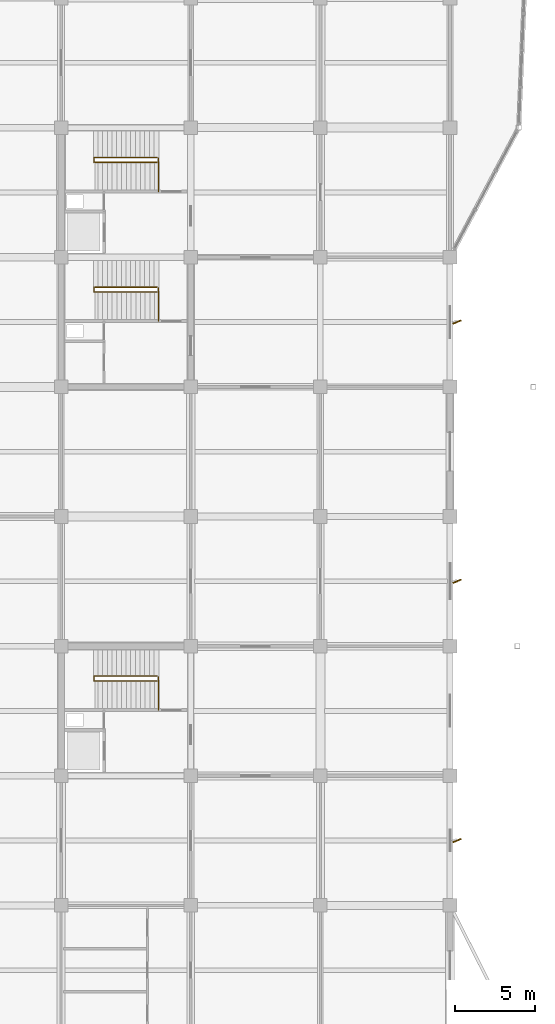
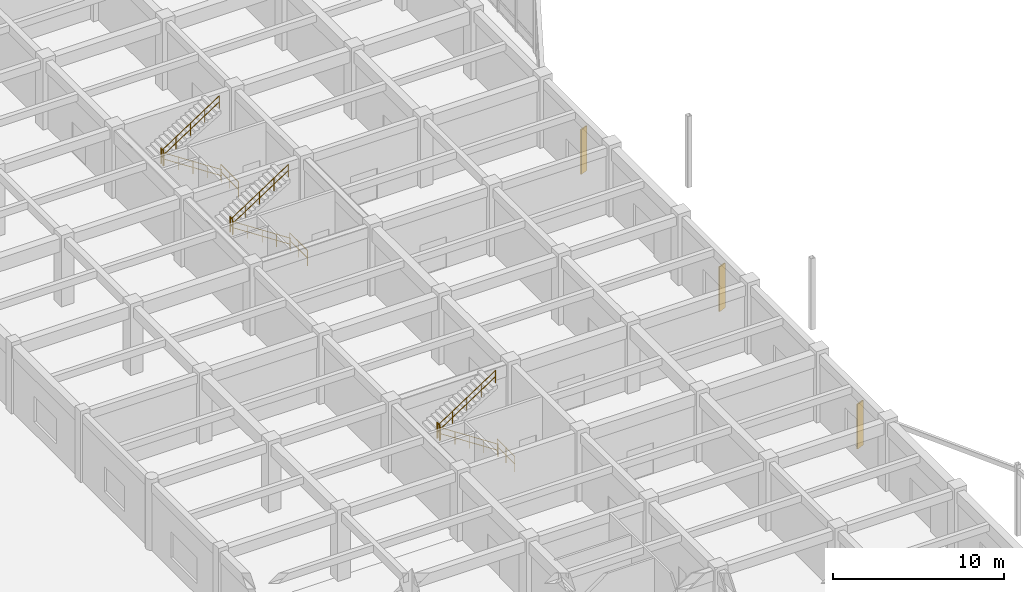
# One storey, part 96 of 99: 12 railings, 3 shading devices.
"""IFC4 building model written with IfcOpenShell, lengths in metres."""

from ifc_helpers import new_model, si_unit, direction, frame, origin, origin_2d, place, context, subcontext, project, spatial, rectangle, circle, extrude, material, type_object, element, save


model = new_model("IFC4")

# Units and contexts
model_context = context("Model", 3, precision=1e-05, world=origin(), true_north=direction((0.0, 1.0)))
body_context = subcontext(model_context, "Body", "Model", "MODEL_VIEW")
ifc_project = project(units=[si_unit("LENGTHUNIT", "METRE"), si_unit("AREAUNIT", "SQUARE_METRE"), si_unit("VOLUMEUNIT", "CUBIC_METRE"), si_unit("PLANEANGLEUNIT", "RADIAN"), si_unit("MASSUNIT", "GRAM", prefix="KILO")], contexts=[model_context])

# Site, building, storey
site_placement = place(None, origin())
site = spatial("IfcSite", under=ifc_project, at=site_placement, CompositionType="ELEMENT")
building_placement = place(site_placement, origin())
building = spatial("IfcBuilding", under=site, at=building_placement, Name="Vaudrelin Polytechnic", CompositionType="ELEMENT")
storey_placement = place(building_placement, origin())
storey = spatial("IfcBuildingStorey", under=building, at=storey_placement, Name="L00", CompositionType="ELEMENT", Elevation=0.0)

# Shading devices
ifc_material_1 = material(Name="Anodised perforated aluminium AA 5005", Category="aluminium")
shading_device_type = type_object("IfcShadingDeviceType", Name="ENV-SF-FIN1", PredefinedType="USERDEFINED", material=ifc_material_1)
for number, where, z_axis, x_axis, name in (
    (1, (170.534912109375, 60.75, 0.2001953125), (0.0, 0.0, 1.0), (0.927183854567, 0.374606593416, 0.0), "Perforated solar fin SF-013"),
    (2, (170.534912109375, 76.949951171875, 0.2001953125), (0.0, 0.0, 1.0), (0.927183854567, 0.374606593416, 0.0), "Perforated solar fin SF-014"),
    (3, (170.534912109375, 93.14990234375, 0.2001953125), (0.0, 0.0, 1.0), (0.927183854567, 0.374606593416, 0.0), "Perforated solar fin SF-015"),
):
    element("IfcShadingDevice", number, at=place(storey_placement, frame(where, z_axis=z_axis, x_axis=x_axis)), inside=storey, type_object=shading_device_type, Name=name, ObjectType="SOLAR FIN", PredefinedType="USERDEFINED", context=body_context, shape_type="SweptSolid", body=[
        extrude(rectangle(XDim=0.550048828125, YDim=0.080078125, at=origin_2d()), origin(), (0.0, 0.0, 1.0), 3.199951171875),
    ])

# Railings
ifc_material_2 = material(Name="Brushed stainless steel AISI 304", Category="steel")
railing_type_1 = type_object("IfcRailingType", Name="RAL-GR-INT", PredefinedType="GUARDRAIL", material=ifc_material_2)
railing_1_placement = place(storey_placement, frame((151.8798828125, 101.31005859375, 0.0)))
element("IfcRailing", 4, at=railing_1_placement, inside=storey, type_object=railing_type_1, Name="ST-06-B1 upper well guardrail", PredefinedType="GUARDRAIL", context=body_context, shape_type="SweptSolid", body=[
    extrude(circle(Radius=0.02392578125, at=origin_2d()), frame((0.0, 0.023193359375, 1.09619140625), z_axis=(0.0, 1.0, 0.0), x_axis=(-1.0, 0.0, 0.0)), (0.0, 0.0, 1.0), 2.023681640625),
    extrude(circle(Radius=0.02392578125, at=origin_2d()), frame((0.0, 0.023193359375, 0.56005859375), z_axis=(0.0, 1.0, 0.0), x_axis=(-1.0, 0.0, 0.0)), (0.0, 0.0, 1.0), 2.023681640625),
    extrude(circle(Radius=0.02099609375, at=origin_2d()), origin(), (0.0, 0.0, 1.0), 1.1201171875),
    extrude(circle(Radius=0.02099609375, at=origin_2d()), frame((0.0, 1.034912109375, 0.0)), (0.0, 0.0, 1.0), 1.1201171875),
    extrude(circle(Radius=0.02099609375, at=origin_2d()), frame((0.0, 2.06982421875, 0.0)), (0.0, 0.0, 1.0), 1.1201171875),
])
railing_2_placement = place(storey_placement, frame((147.85009765625, 103.139892578125, 2.550048828125)))
element("IfcRailing", 5, at=railing_2_placement, inside=storey, type_object=railing_type_1, Name="ST-06-L00 landing well guardrail", PredefinedType="GUARDRAIL", context=body_context, shape_type="SweptSolid", body=[
    extrude(circle(Radius=0.02392578125, at=origin_2d()), frame((0.0, 0.023193359375, 1.09619140625), z_axis=(0.0, 1.0, 0.0), x_axis=(-1.0, 0.0, 0.0)), (0.0, 0.0, 1.0), 0.23388671875),
    extrude(circle(Radius=0.02392578125, at=origin_2d()), frame((0.0, 0.023193359375, 0.56005859375), z_axis=(0.0, 1.0, 0.0), x_axis=(-1.0, 0.0, 0.0)), (0.0, 0.0, 1.0), 0.23388671875),
    extrude(circle(Radius=0.02099609375, at=origin_2d()), origin(), (0.0, 0.0, 1.0), 1.1201171875),
    extrude(circle(Radius=0.02099609375, at=origin_2d()), frame((0.0, 0.280029296875, 0.0)), (0.0, 0.0, 1.0), 1.1201171875),
])
railing_3_placement = place(storey_placement, frame((151.8798828125, 68.909912109375, 0.0)))
element("IfcRailing", 6, at=railing_3_placement, inside=storey, type_object=railing_type_1, Name="ST-07-B1 upper well guardrail", PredefinedType="GUARDRAIL", context=body_context, shape_type="SweptSolid", body=[
    extrude(circle(Radius=0.02392578125, at=origin_2d()), frame((0.0, 0.023193359375, 1.09619140625), z_axis=(0.0, 1.0, 0.0), x_axis=(-1.0, 0.0, 0.0)), (0.0, 0.0, 1.0), 2.02392578125),
    extrude(circle(Radius=0.02392578125, at=origin_2d()), frame((0.0, 0.023193359375, 0.56005859375), z_axis=(0.0, 1.0, 0.0), x_axis=(-1.0, 0.0, 0.0)), (0.0, 0.0, 1.0), 2.02392578125),
    extrude(circle(Radius=0.02099609375, at=origin_2d()), origin(), (0.0, 0.0, 1.0), 1.1201171875),
    extrude(circle(Radius=0.02099609375, at=origin_2d()), frame((0.0, 1.03515625, 0.0)), (0.0, 0.0, 1.0), 1.1201171875),
    extrude(circle(Radius=0.02099609375, at=origin_2d()), frame((0.0, 2.070068359375, 0.0)), (0.0, 0.0, 1.0), 1.1201171875),
])
railing_4_placement = place(storey_placement, frame((147.85009765625, 70.739990234375, 2.550048828125)))
element("IfcRailing", 7, at=railing_4_placement, inside=storey, type_object=railing_type_1, Name="ST-07-L00 landing well guardrail", PredefinedType="GUARDRAIL", context=body_context, shape_type="SweptSolid", body=[
    extrude(circle(Radius=0.02392578125, at=origin_2d()), frame((0.0, 0.023193359375, 1.09619140625), z_axis=(0.0, 1.0, 0.0), x_axis=(-1.0, 0.0, 0.0)), (0.0, 0.0, 1.0), 0.23388671875),
    extrude(circle(Radius=0.02392578125, at=origin_2d()), frame((0.0, 0.023193359375, 0.56005859375), z_axis=(0.0, 1.0, 0.0), x_axis=(-1.0, 0.0, 0.0)), (0.0, 0.0, 1.0), 0.23388671875),
    extrude(circle(Radius=0.02099609375, at=origin_2d()), origin(), (0.0, 0.0, 1.0), 1.1201171875),
    extrude(circle(Radius=0.02099609375, at=origin_2d()), frame((0.0, 0.280029296875, 0.0)), (0.0, 0.0, 1.0), 1.1201171875),
])
railing_5_placement = place(storey_placement, frame((151.8798828125, 93.2099609375, 0.0)))
element("IfcRailing", 8, at=railing_5_placement, inside=storey, type_object=railing_type_1, Name="ST-13-B1 upper well guardrail", PredefinedType="GUARDRAIL", context=body_context, shape_type="SweptSolid", body=[
    extrude(circle(Radius=0.02392578125, at=origin_2d()), frame((0.0, 0.023193359375, 1.09619140625), z_axis=(0.0, 1.0, 0.0), x_axis=(-1.0, 0.0, 0.0)), (0.0, 0.0, 1.0), 2.02392578125),
    extrude(circle(Radius=0.02392578125, at=origin_2d()), frame((0.0, 0.023193359375, 0.56005859375), z_axis=(0.0, 1.0, 0.0), x_axis=(-1.0, 0.0, 0.0)), (0.0, 0.0, 1.0), 2.02392578125),
    extrude(circle(Radius=0.02099609375, at=origin_2d()), origin(), (0.0, 0.0, 1.0), 1.1201171875),
    extrude(circle(Radius=0.02099609375, at=origin_2d()), frame((0.0, 1.03515625, 0.0)), (0.0, 0.0, 1.0), 1.1201171875),
    extrude(circle(Radius=0.02099609375, at=origin_2d()), frame((0.0, 2.070068359375, 0.0)), (0.0, 0.0, 1.0), 1.1201171875),
])
railing_6_placement = place(storey_placement, frame((147.85009765625, 95.0400390625, 2.550048828125)))
element("IfcRailing", 9, at=railing_6_placement, inside=storey, type_object=railing_type_1, Name="ST-13-L00 landing well guardrail", PredefinedType="GUARDRAIL", context=body_context, shape_type="SweptSolid", body=[
    extrude(circle(Radius=0.02392578125, at=origin_2d()), frame((0.0, 0.023193359375, 1.09619140625), z_axis=(0.0, 1.0, 0.0), x_axis=(-1.0, 0.0, 0.0)), (0.0, 0.0, 1.0), 0.23388671875),
    extrude(circle(Radius=0.02392578125, at=origin_2d()), frame((0.0, 0.023193359375, 0.56005859375), z_axis=(0.0, 1.0, 0.0), x_axis=(-1.0, 0.0, 0.0)), (0.0, 0.0, 1.0), 0.23388671875),
    extrude(circle(Radius=0.02099609375, at=origin_2d()), origin(), (0.0, 0.0, 1.0), 1.1201171875),
    extrude(circle(Radius=0.02099609375, at=origin_2d()), frame((0.0, 0.280029296875, 0.0)), (0.0, 0.0, 1.0), 1.1201171875),
])
railing_type_2 = type_object("IfcRailingType", Name="RAL-HR-STR", PredefinedType="HANDRAIL", material=ifc_material_2)
railing_7_placement = place(storey_placement, frame((151.800048828125, 103.1298828125, 0.0)))
element("IfcRailing", 10, at=railing_7_placement, inside=storey, type_object=railing_type_2, Name="ST-06-L00 flight 1 handrail", PredefinedType="HANDRAIL", context=body_context, shape_type="SweptSolid", body=[
    extrude(circle(Radius=0.02392578125, at=origin_2d()), frame((-0.019287109375, 0.0, 0.908447265625), z_axis=(-0.836329188974, 0.0, 0.548227587476), x_axis=(0.0, -1.0, 0.0)), (0.0, 0.0, 1.0), 4.605224609375),
    extrude(circle(Radius=0.02392578125, at=origin_2d()), frame((-0.019287109375, 0.0, 0.47265625), z_axis=(-0.836329188974, 0.0, 0.548227587476), x_axis=(0.0, -1.0, 0.0)), (0.0, 0.0, 1.0), 4.605224609375),
    extrude(circle(Radius=0.02099609375, at=origin_2d()), origin(), (0.0, 0.0, 1.0), 0.919921875),
    extrude(circle(Radius=0.02099609375, at=origin_2d()), frame((-0.97265625, 0.0, 0.637451171875)), (0.0, 0.0, 1.0), 0.919921875),
    extrude(circle(Radius=0.02099609375, at=origin_2d()), frame((-1.945068359375, 0.0, 1.27490234375)), (0.0, 0.0, 1.0), 0.919921875),
    extrude(circle(Radius=0.02099609375, at=origin_2d()), frame((-2.91748046875, 0.0, 1.91259765625)), (0.0, 0.0, 1.0), 0.919921875),
    extrude(circle(Radius=0.02099609375, at=origin_2d()), frame((-3.89013671875, 0.0, 2.550048828125)), (0.0, 0.0, 1.0), 0.919921875),
])
railing_8_placement = place(storey_placement, frame((147.909912109375, 103.429931640625, 2.550048828125)))
element("IfcRailing", 11, at=railing_8_placement, inside=storey, type_object=railing_type_2, Name="ST-06-L00 flight 2 handrail", PredefinedType="HANDRAIL", context=body_context, shape_type="SweptSolid", body=[
    extrude(circle(Radius=0.02392578125, at=origin_2d()), frame((0.019287109375, 0.0, 0.908447265625), z_axis=(0.836329188974, 0.0, 0.548227587476), x_axis=(0.0, 1.0, 0.0)), (0.0, 0.0, 1.0), 4.605224609375),
    extrude(circle(Radius=0.02392578125, at=origin_2d()), frame((0.019287109375, 0.0, 0.47265625), z_axis=(0.836329188974, 0.0, 0.548227587476), x_axis=(0.0, 1.0, 0.0)), (0.0, 0.0, 1.0), 4.605224609375),
    extrude(circle(Radius=0.02099609375, at=origin_2d()), origin(), (0.0, 0.0, 1.0), 0.919921875),
    extrude(circle(Radius=0.02099609375, at=origin_2d()), frame((0.97265625, 0.0, 0.637451171875)), (0.0, 0.0, 1.0), 0.919921875),
    extrude(circle(Radius=0.02099609375, at=origin_2d()), frame((1.945068359375, 0.0, 1.27490234375)), (0.0, 0.0, 1.0), 0.919921875),
    extrude(circle(Radius=0.02099609375, at=origin_2d()), frame((2.91748046875, 0.0, 1.91259765625)), (0.0, 0.0, 1.0), 0.919921875),
    extrude(circle(Radius=0.02099609375, at=origin_2d()), frame((3.89013671875, 0.0, 2.550048828125)), (0.0, 0.0, 1.0), 0.919921875),
])
railing_9_placement = place(storey_placement, frame((151.800048828125, 70.72998046875, 0.0)))
element("IfcRailing", 12, at=railing_9_placement, inside=storey, type_object=railing_type_2, Name="ST-07-L00 flight 1 handrail", PredefinedType="HANDRAIL", context=body_context, shape_type="SweptSolid", body=[
    extrude(circle(Radius=0.02392578125, at=origin_2d()), frame((-0.019287109375, 0.0, 0.908447265625), z_axis=(-0.836329188974, 0.0, 0.548227587476), x_axis=(0.0, -1.0, 0.0)), (0.0, 0.0, 1.0), 4.605224609375),
    extrude(circle(Radius=0.02392578125, at=origin_2d()), frame((-0.019287109375, 0.0, 0.47265625), z_axis=(-0.836329188974, 0.0, 0.548227587476), x_axis=(0.0, -1.0, 0.0)), (0.0, 0.0, 1.0), 4.605224609375),
    extrude(circle(Radius=0.02099609375, at=origin_2d()), origin(), (0.0, 0.0, 1.0), 0.919921875),
    extrude(circle(Radius=0.02099609375, at=origin_2d()), frame((-0.97265625, 0.0, 0.637451171875)), (0.0, 0.0, 1.0), 0.919921875),
    extrude(circle(Radius=0.02099609375, at=origin_2d()), frame((-1.945068359375, 0.0, 1.27490234375)), (0.0, 0.0, 1.0), 0.919921875),
    extrude(circle(Radius=0.02099609375, at=origin_2d()), frame((-2.91748046875, 0.0, 1.91259765625)), (0.0, 0.0, 1.0), 0.919921875),
    extrude(circle(Radius=0.02099609375, at=origin_2d()), frame((-3.89013671875, 0.0, 2.550048828125)), (0.0, 0.0, 1.0), 0.919921875),
])
railing_10_placement = place(storey_placement, frame((147.909912109375, 71.030029296875, 2.550048828125)))
element("IfcRailing", 13, at=railing_10_placement, inside=storey, type_object=railing_type_2, Name="ST-07-L00 flight 2 handrail", PredefinedType="HANDRAIL", context=body_context, shape_type="SweptSolid", body=[
    extrude(circle(Radius=0.02392578125, at=origin_2d()), frame((0.019287109375, 0.0, 0.908447265625), z_axis=(0.836329188974, 0.0, 0.548227587476), x_axis=(0.0, 1.0, 0.0)), (0.0, 0.0, 1.0), 4.605224609375),
    extrude(circle(Radius=0.02392578125, at=origin_2d()), frame((0.019287109375, 0.0, 0.47265625), z_axis=(0.836329188974, 0.0, 0.548227587476), x_axis=(0.0, 1.0, 0.0)), (0.0, 0.0, 1.0), 4.605224609375),
    extrude(circle(Radius=0.02099609375, at=origin_2d()), origin(), (0.0, 0.0, 1.0), 0.919921875),
    extrude(circle(Radius=0.02099609375, at=origin_2d()), frame((0.97265625, 0.0, 0.637451171875)), (0.0, 0.0, 1.0), 0.919921875),
    extrude(circle(Radius=0.02099609375, at=origin_2d()), frame((1.945068359375, 0.0, 1.27490234375)), (0.0, 0.0, 1.0), 0.919921875),
    extrude(circle(Radius=0.02099609375, at=origin_2d()), frame((2.91748046875, 0.0, 1.91259765625)), (0.0, 0.0, 1.0), 0.919921875),
    extrude(circle(Radius=0.02099609375, at=origin_2d()), frame((3.89013671875, 0.0, 2.550048828125)), (0.0, 0.0, 1.0), 0.919921875),
])
railing_11_placement = place(storey_placement, frame((151.800048828125, 95.030029296875, 0.0)))
element("IfcRailing", 14, at=railing_11_placement, inside=storey, type_object=railing_type_2, Name="ST-13-L00 flight 1 handrail", PredefinedType="HANDRAIL", context=body_context, shape_type="SweptSolid", body=[
    extrude(circle(Radius=0.02392578125, at=origin_2d()), frame((-0.019287109375, 0.0, 0.908447265625), z_axis=(-0.836329188974, 0.0, 0.548227587476), x_axis=(0.0, -1.0, 0.0)), (0.0, 0.0, 1.0), 4.605224609375),
    extrude(circle(Radius=0.02392578125, at=origin_2d()), frame((-0.019287109375, 0.0, 0.47265625), z_axis=(-0.836329188974, 0.0, 0.548227587476), x_axis=(0.0, -1.0, 0.0)), (0.0, 0.0, 1.0), 4.605224609375),
    extrude(circle(Radius=0.02099609375, at=origin_2d()), origin(), (0.0, 0.0, 1.0), 0.919921875),
    extrude(circle(Radius=0.02099609375, at=origin_2d()), frame((-0.97265625, 0.0, 0.637451171875)), (0.0, 0.0, 1.0), 0.919921875),
    extrude(circle(Radius=0.02099609375, at=origin_2d()), frame((-1.945068359375, 0.0, 1.27490234375)), (0.0, 0.0, 1.0), 0.919921875),
    extrude(circle(Radius=0.02099609375, at=origin_2d()), frame((-2.91748046875, 0.0, 1.91259765625)), (0.0, 0.0, 1.0), 0.919921875),
    extrude(circle(Radius=0.02099609375, at=origin_2d()), frame((-3.89013671875, 0.0, 2.550048828125)), (0.0, 0.0, 1.0), 0.919921875),
])
railing_12_placement = place(storey_placement, frame((147.909912109375, 95.330078125, 2.550048828125)))
element("IfcRailing", 15, at=railing_12_placement, inside=storey, type_object=railing_type_2, Name="ST-13-L00 flight 2 handrail", PredefinedType="HANDRAIL", context=body_context, shape_type="SweptSolid", body=[
    extrude(circle(Radius=0.02392578125, at=origin_2d()), frame((0.019287109375, 0.0, 0.908447265625), z_axis=(0.836329188974, 0.0, 0.548227587476), x_axis=(0.0, 1.0, 0.0)), (0.0, 0.0, 1.0), 4.605224609375),
    extrude(circle(Radius=0.02392578125, at=origin_2d()), frame((0.019287109375, 0.0, 0.47265625), z_axis=(0.836329188974, 0.0, 0.548227587476), x_axis=(0.0, 1.0, 0.0)), (0.0, 0.0, 1.0), 4.605224609375),
    extrude(circle(Radius=0.02099609375, at=origin_2d()), origin(), (0.0, 0.0, 1.0), 0.919921875),
    extrude(circle(Radius=0.02099609375, at=origin_2d()), frame((0.97265625, 0.0, 0.637451171875)), (0.0, 0.0, 1.0), 0.919921875),
    extrude(circle(Radius=0.02099609375, at=origin_2d()), frame((1.945068359375, 0.0, 1.27490234375)), (0.0, 0.0, 1.0), 0.919921875),
    extrude(circle(Radius=0.02099609375, at=origin_2d()), frame((2.91748046875, 0.0, 1.91259765625)), (0.0, 0.0, 1.0), 0.919921875),
    extrude(circle(Radius=0.02099609375, at=origin_2d()), frame((3.89013671875, 0.0, 2.550048828125)), (0.0, 0.0, 1.0), 0.919921875),
])

save(model, "model.ifc")
